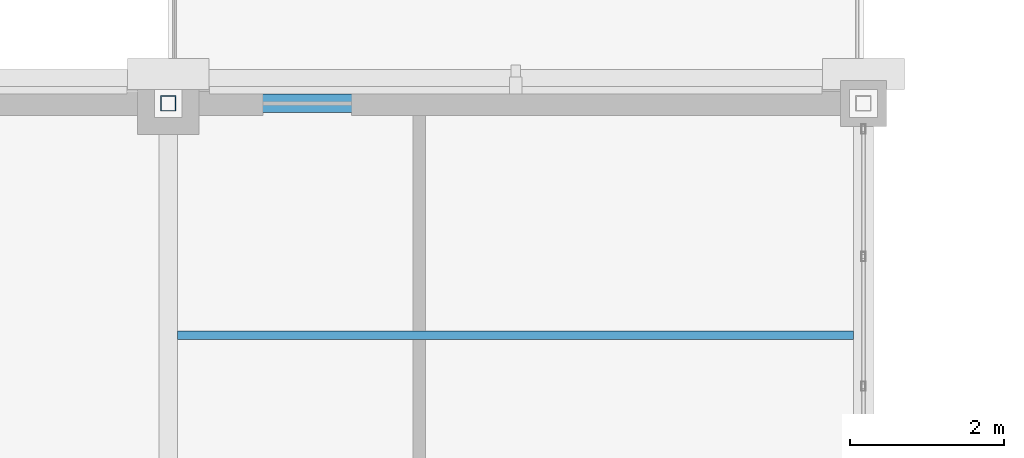
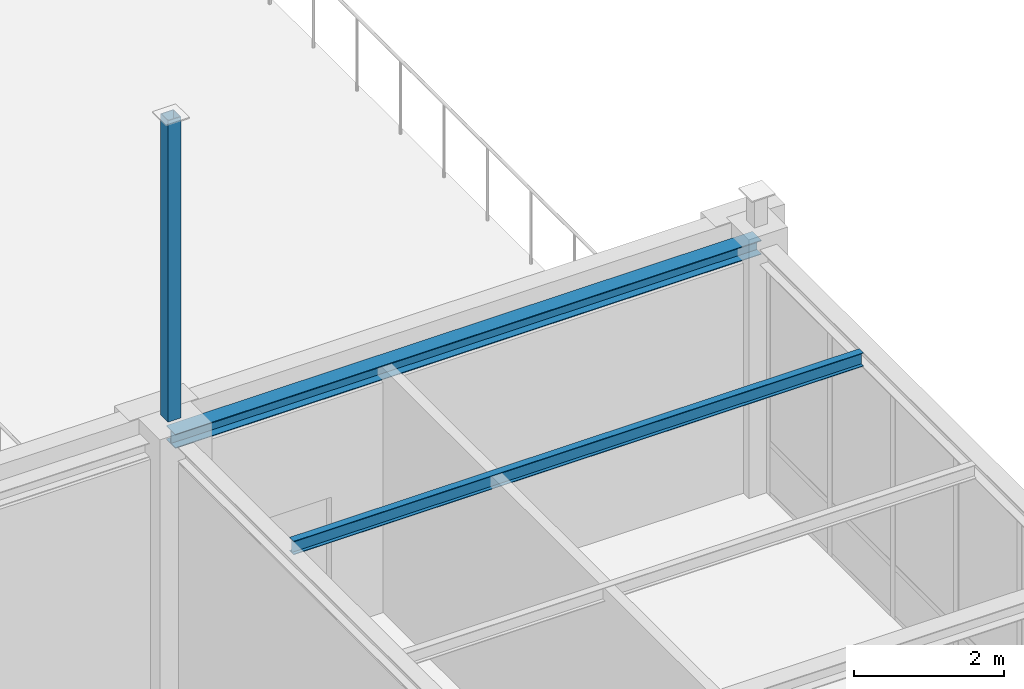
# One storey, part 24 of 36: 2 beams, 1 member.
"""IFC4 building model written with IfcOpenShell, lengths in metres."""

from ifc_helpers import new_model, si_unit, direction, frame, origin, origin_2d, place, context, subcontext, project, spatial, hollow_rectangle, i_section, extrude, material, material_profile, profile_set, type_object, element, save


model = new_model("IFC4")

# Units and contexts
model_context = context("Model", 3, precision=1e-05, world=origin(), true_north=direction((0.0, 1.0)))
body_context = subcontext(model_context, "Body", "Model", "MODEL_VIEW")
ifc_project = project(units=[si_unit("LENGTHUNIT", "METRE"), si_unit("AREAUNIT", "SQUARE_METRE"), si_unit("VOLUMEUNIT", "CUBIC_METRE"), si_unit("PLANEANGLEUNIT", "RADIAN"), si_unit("MASSUNIT", "GRAM", prefix="KILO")], contexts=[model_context])

# Site, building, storey
site_placement = place(None, origin())
site = spatial("IfcSite", under=ifc_project, at=site_placement, CompositionType="ELEMENT")
building_placement = place(site_placement, origin())
building = spatial("IfcBuilding", under=site, at=building_placement, Name="Lykobir Media Centre", CompositionType="ELEMENT")
storey_placement = place(building_placement, frame((0.0, 0.0, 27.60009765625)))
storey = spatial("IfcBuildingStorey", under=building, at=storey_placement, Name="L06", CompositionType="ELEMENT", Elevation=27.60009765625)

# Beams
ifc_material = material(Name="Steel S355", Category="steel")
ifc_material_profile_1 = material_profile(ifc_material, i_section(OverallWidth=0.110107421875, OverallDepth=0.219970703125, WebThickness=0.005859375, FlangeThickness=0.00927734375, at=origin_2d()), Name="IPE 220")
ifc_profile_set_1 = profile_set([ifc_material_profile_1], Name="Steel S355")
beam_type_1 = type_object("IfcBeamType", Name="JS-IPE220", PredefinedType="JOIST", material=ifc_profile_set_1)
beam_1_placement = place(storey_placement, frame((27.1201171875, 42.0, 3.869873046875), z_axis=(1.0, 0.0, 0.0), x_axis=(0.0, 1.0, 0.0)))
element("IfcBeam", 1, at=beam_1_placement, inside=storey, type_object=beam_type_1, Name="Beam BM-L06-0271-0420-0359-0420-3147", PredefinedType="JOIST", context=body_context, shape_type="SweptSolid", body=[
    extrude(i_section(OverallWidth=0.110107421875, OverallDepth=0.219970703125, WebThickness=0.005859375, FlangeThickness=0.00927734375, at=origin_2d()), origin(), (0.0, 0.0, 1.0), 8.75),
])
ifc_material_profile_2 = material_profile(ifc_material, i_section(OverallWidth=0.239990234375, OverallDepth=0.22998046875, WebThickness=0.007568359375, FlangeThickness=0.011962890625, at=origin_2d()), Name="HEA 240")
ifc_profile_set_2 = profile_set([ifc_material_profile_2], Name="Steel S355")
beam_type_2 = type_object("IfcBeamType", Name="SP-HEA240", PredefinedType="SPANDREL", material=ifc_profile_set_2)
beam_2_placement = place(storey_placement, frame((27.0, 45.0, 3.864990234375), z_axis=(1.0, 0.0, 0.0), x_axis=(0.0, 1.0, 0.0)))
element("IfcBeam", 2, at=beam_2_placement, inside=storey, type_object=beam_type_2, Name="Beam BM-L06-0270-0450-0360-0450-3146", PredefinedType="SPANDREL", context=body_context, shape_type="SweptSolid", body=[
    extrude(i_section(OverallWidth=0.239990234375, OverallDepth=0.22998046875, WebThickness=0.007568359375, FlangeThickness=0.011962890625, at=origin_2d()), origin(), (0.0, 0.0, 1.0), 9.0),
])

# Member
ifc_material_profile_3 = material_profile(ifc_material, hollow_rectangle(XDim=0.199951171875, YDim=0.199951171875, WallThickness=0.010009765625, at=origin_2d()), Name="SHS 200x200x10")
ifc_profile_set_3 = profile_set([ifc_material_profile_3], Name="Steel S355")
member_type = type_object("IfcMemberType", Name="TC-SHS200", PredefinedType="CHORD", material=ifc_profile_set_3)
member_placement = place(storey_placement, frame((27.0, 45.0, 4.199951171875), z_axis=(0.0, 0.0, 1.0), x_axis=(1.0, 0.0, 0.0)))
element("IfcMember", 3, at=member_placement, inside=storey, type_object=member_type, Name="Truss chord MEM2-L06-0270-0450-0318-0270-0450-0005", PredefinedType="CHORD", context=body_context, shape_type="SweptSolid", body=[
    extrude(hollow_rectangle(XDim=0.199951171875, YDim=0.199951171875, WallThickness=0.010009765625, at=origin_2d()), origin(), (0.0, 0.0, 1.0), 4.890869140625),
])

save(model, "model.ifc")
